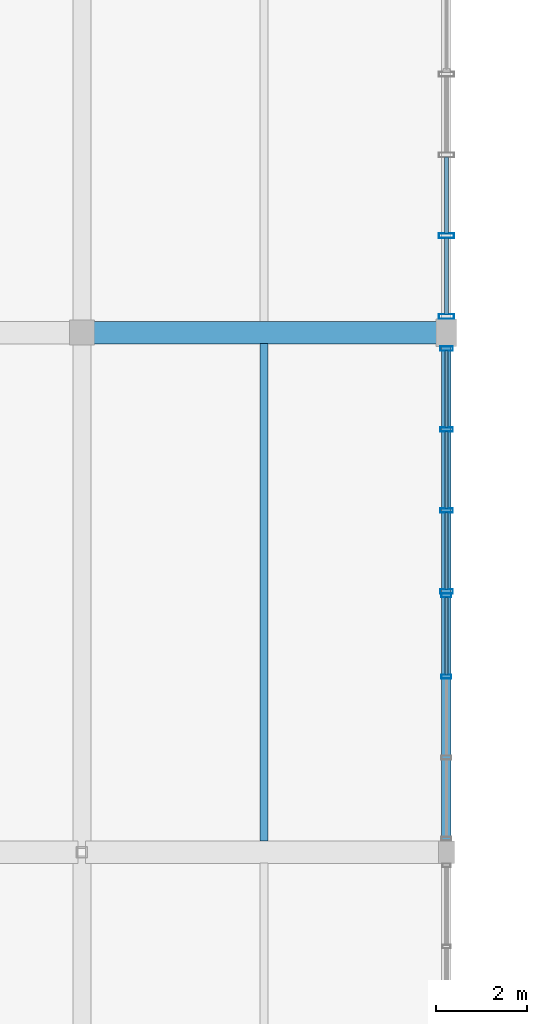
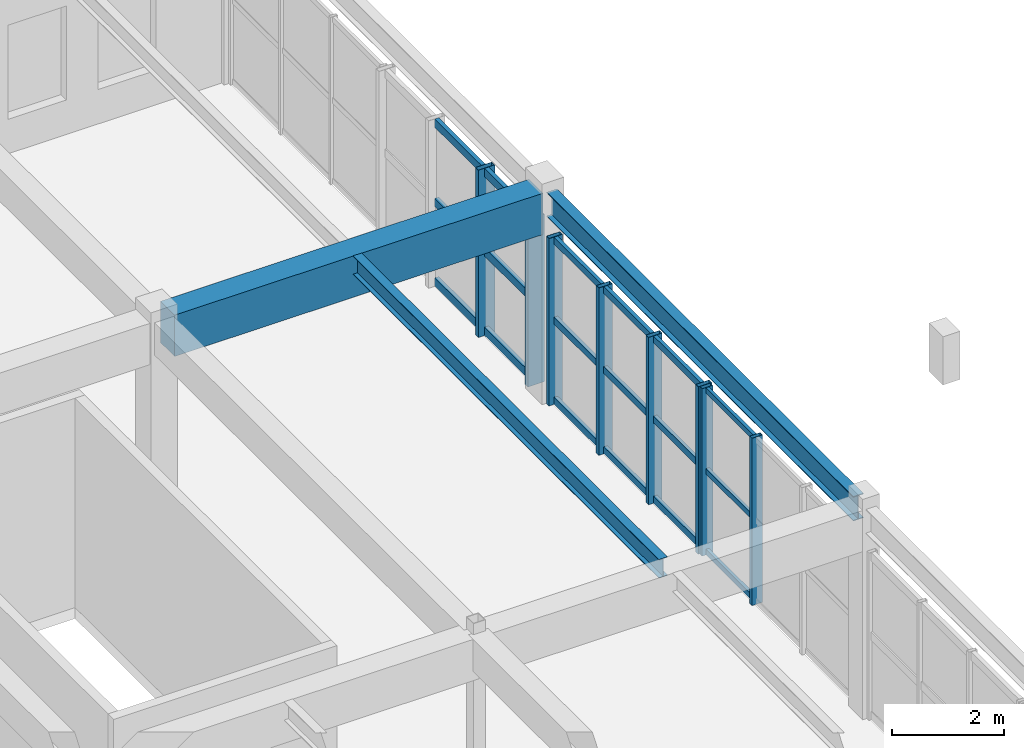
# One storey, part 46 of 106: 26 members, 3 beams, 3 elements without a shape of their own.
"""IFC4 building model written with IfcOpenShell, lengths in metres."""

from ifc_helpers import new_model, si_unit, direction, frame, origin, origin_2d, place, context, subcontext, project, spatial, rectangle, hollow_rectangle, i_section, extrude, material, layer, layer_set, material_profile, profile_set, type_object, element, aggregate, save


model = new_model("IFC4")

# Units and contexts
model_context = context("Model", 3, precision=1e-05, world=origin(), true_north=direction((0.0, 1.0)))
body_context = subcontext(model_context, "Body", "Model", "MODEL_VIEW")
ifc_project = project(units=[si_unit("LENGTHUNIT", "METRE"), si_unit("AREAUNIT", "SQUARE_METRE"), si_unit("VOLUMEUNIT", "CUBIC_METRE"), si_unit("PLANEANGLEUNIT", "RADIAN"), si_unit("MASSUNIT", "GRAM", prefix="KILO"), si_unit("POWERUNIT", "WATT"), si_unit("THERMODYNAMICTEMPERATUREUNIT", "KELVIN")], contexts=[model_context])

# Site, building, storey
site_placement = place(None, origin())
site = spatial("IfcSite", under=ifc_project, at=site_placement, CompositionType="ELEMENT")
building_placement = place(site_placement, origin())
building = spatial("IfcBuilding", under=site, at=building_placement, Name="Kelmbourne Parkland Aquatics Centre", CompositionType="ELEMENT")
storey_placement = place(building_placement, frame((0.0, 0.0, 5.39990234375)))
storey = spatial("IfcBuildingStorey", under=building, at=storey_placement, Name="L01", CompositionType="ELEMENT", Elevation=5.39990234375)

# Beams
ifc_material_1 = material(Name="Concrete C40/50", Category="concrete")
ifc_material_profile_1 = material_profile(ifc_material_1, rectangle(XDim=0.5, YDim=0.89990234375, at=origin_2d()), Name="RC 500x900")
ifc_profile_set_1 = profile_set([ifc_material_profile_1], Name="Concrete C40/50")
beam_type_1 = type_object("IfcBeamType", Name="BM-G03", PredefinedType="BEAM", material=ifc_profile_set_1)
beam_1_placement = place(storey_placement, frame((32.22998046875, 80.60009765625, 4.110107421875), z_axis=(1.0, 0.0, 0.0), x_axis=(0.0, 1.0, 0.0)))
element("IfcBeam", 1, at=beam_1_placement, inside=storey, type_object=beam_type_1, Name="Primary girder E-F Grid 11 (L02)", PredefinedType="BEAM", context=body_context, shape_type="SweptSolid", body=[
    extrude(rectangle(XDim=0.5, YDim=0.89990234375, at=origin_2d()), origin(), (0.0, 0.0, 1.0), 7.590087890625),
])
ifc_material_2 = material(Name="Structural steel AS/NZS 3679.1 Grade 300", Category="steel")
ifc_material_profile_2 = material_profile(ifc_material_2, i_section(OverallWidth=0.177978515625, OverallDepth=0.406005859375, WebThickness=0.0078125, FlangeThickness=0.0126953125, at=origin_2d()), Name="410UB59.7")
ifc_profile_set_2 = profile_set([ifc_material_profile_2], Name="Structural steel AS/NZS 3679.1 Grade 300")
beam_type_2 = type_object("IfcBeamType", Name="BM-J01", PredefinedType="JOIST", material=ifc_profile_set_2)
beam_2_placement = place(storey_placement, frame((36.0, 69.44189453125, 4.357177734375), z_axis=(0.0, 1.0, 0.0), x_axis=(-1.0, 0.0, 0.0)))
element("IfcBeam", 2, at=beam_2_placement, inside=storey, type_object=beam_type_2, Name="Secondary floor joist E-F/10-11 #1 (L02)", PredefinedType="JOIST", context=body_context, shape_type="SweptSolid", body=[
    extrude(i_section(OverallWidth=0.177978515625, OverallDepth=0.406005859375, WebThickness=0.0078125, FlangeThickness=0.0126953125, at=origin_2d()), origin(), (0.0, 0.0, 1.0), 10.916015625),
])
ifc_material_profile_3 = material_profile(ifc_material_2, i_section(OverallWidth=0.208984375, OverallDepth=0.532958984375, WebThickness=0.01025390625, FlangeThickness=0.015625, at=origin_2d()), Name="530UB92.4")
ifc_profile_set_3 = profile_set([ifc_material_profile_3], Name="Structural steel AS/NZS 3679.1 Grade 300")
beam_type_3 = type_object("IfcBeamType", Name="BM-SP02", PredefinedType="SPANDREL", material=ifc_profile_set_3)
beam_3_placement = place(storey_placement, frame((40.0, 69.405029296875, 4.293701171875), z_axis=(0.0, 1.0, 0.0), x_axis=(-1.0, 0.0, 0.0)))
element("IfcBeam", 3, at=beam_3_placement, inside=storey, type_object=beam_type_3, Name="Perimeter spandrel 10-11 Grid F (L02)", PredefinedType="SPANDREL", context=body_context, shape_type="SweptSolid", body=[
    extrude(i_section(OverallWidth=0.208984375, OverallDepth=0.532958984375, WebThickness=0.01025390625, FlangeThickness=0.015625, at=origin_2d()), origin(), (0.0, 0.0, 1.0), 10.93994140625),
])

# Curtain wall, members
ifc_material_3 = material(Name="Thermally broken anodised aluminium framing", Category="aluminium")
ifc_layer_1 = layer(ifc_material_3, 0.179931640625)
ifc_layer_set_1 = layer_set([ifc_layer_1], Name="Thermally broken anodised aluminium framing")
curtain_wall_type_1 = type_object("IfcCurtainWallType", Name="CW-21", PredefinedType="NOTDEFINED", material=ifc_layer_set_1)
curtain_wall_1_placement = place(storey_placement, origin())
curtain_wall_1 = element("IfcCurtainWall", 4, at=curtain_wall_1_placement, inside=storey, type_object=curtain_wall_type_1, Name="Facade curtain wall CW-L01-237", PredefinedType="NOTDEFINED")
ifc_material_profile_4 = material_profile(ifc_material_3, hollow_rectangle(XDim=0.0849609375, YDim=0.219970703125, WallThickness=0.0048828125, at=origin_2d()), Name="CW-M 85x220")
ifc_profile_set_4 = profile_set([ifc_material_profile_4], Name="Thermally broken anodised aluminium framing")
member_type_1 = type_object("IfcMemberType", Name="MB-MUL-3", PredefinedType="MULLION", material=ifc_profile_set_4)
member_1_placement = place(storey_placement, frame((40.0, 73.05322265625, 0.0), z_axis=(0.0, 0.0, 1.0), x_axis=(0.0, 1.0, 0.0)))
member_1 = element("IfcMember", 5, at=member_1_placement, type_object=member_type_1, Name="CW-L01-237 mullion 2", PredefinedType="MULLION", context=body_context, shape_type="SweptSolid", body=[
    extrude(hollow_rectangle(XDim=0.0849609375, YDim=0.219970703125, WallThickness=0.0048828125, at=origin_2d()), origin(), (0.0, 0.0, 1.0), 3.64501953125),
])
member_2_placement = place(storey_placement, frame((40.0, 74.83251953125, 0.0), z_axis=(0.0, 0.0, 1.0), x_axis=(0.0, 1.0, 0.0)))
member_2 = element("IfcMember", 6, at=member_2_placement, type_object=member_type_1, Name="CW-L01-237 mullion 3", PredefinedType="MULLION", context=body_context, shape_type="SweptSolid", body=[
    extrude(hollow_rectangle(XDim=0.0849609375, YDim=0.219970703125, WallThickness=0.0048828125, at=origin_2d()), origin(), (0.0, 0.0, 1.0), 3.64501953125),
])

ifc_layer_2 = layer(ifc_material_3, 0.179931640625)
ifc_layer_set_2 = layer_set([ifc_layer_2], Name="Thermally broken anodised aluminium framing")
curtain_wall_type_2 = type_object("IfcCurtainWallType", Name="CW-22", PredefinedType="NOTDEFINED", material=ifc_layer_set_2)
curtain_wall_2_placement = place(storey_placement, origin())
curtain_wall_2 = element("IfcCurtainWall", 7, at=curtain_wall_2_placement, inside=storey, type_object=curtain_wall_type_2, Name="Facade curtain wall CW-L01-238", PredefinedType="NOTDEFINED")
ifc_material_profile_5 = material_profile(ifc_material_3, hollow_rectangle(XDim=0.094970703125, YDim=0.280029296875, WallThickness=0.005615234375, at=origin_2d()), Name="CW-M 95x280")
ifc_profile_set_5 = profile_set([ifc_material_profile_5], Name="Thermally broken anodised aluminium framing")
member_type_2 = type_object("IfcMemberType", Name="MB-MUL-4", PredefinedType="MULLION", material=ifc_profile_set_5)
member_3_placement = place(storey_placement, frame((40.0, 74.922607421875, 0.0), z_axis=(0.0, 0.0, 1.0), x_axis=(0.0, 1.0, 0.0)))
member_3 = element("IfcMember", 8, at=member_3_placement, type_object=member_type_2, Name="CW-L01-238 mullion 0", PredefinedType="MULLION", context=body_context, shape_type="SweptSolid", body=[
    extrude(hollow_rectangle(XDim=0.094970703125, YDim=0.280029296875, WallThickness=0.005615234375, at=origin_2d()), origin(), (0.0, 0.0, 1.0), 3.64501953125),
])
member_4_placement = place(storey_placement, frame((40.0, 76.698486328125, 0.0), z_axis=(0.0, 0.0, 1.0), x_axis=(0.0, 1.0, 0.0)))
member_4 = element("IfcMember", 9, at=member_4_placement, type_object=member_type_2, Name="CW-L01-238 mullion 1", PredefinedType="MULLION", context=body_context, shape_type="SweptSolid", body=[
    extrude(hollow_rectangle(XDim=0.094970703125, YDim=0.280029296875, WallThickness=0.005615234375, at=origin_2d()), origin(), (0.0, 0.0, 1.0), 3.64501953125),
])
member_5_placement = place(storey_placement, frame((40.0, 78.474609375, 0.0), z_axis=(0.0, 0.0, 1.0), x_axis=(0.0, 1.0, 0.0)))
member_5 = element("IfcMember", 10, at=member_5_placement, type_object=member_type_2, Name="CW-L01-238 mullion 2", PredefinedType="MULLION", context=body_context, shape_type="SweptSolid", body=[
    extrude(hollow_rectangle(XDim=0.094970703125, YDim=0.280029296875, WallThickness=0.005615234375, at=origin_2d()), origin(), (0.0, 0.0, 1.0), 3.64501953125),
])
member_6_placement = place(storey_placement, frame((40.0, 80.25048828125, 0.0), z_axis=(0.0, 0.0, 1.0), x_axis=(0.0, 1.0, 0.0)))
member_6 = element("IfcMember", 11, at=member_6_placement, type_object=member_type_2, Name="CW-L01-238 mullion 3", PredefinedType="MULLION", context=body_context, shape_type="SweptSolid", body=[
    extrude(hollow_rectangle(XDim=0.094970703125, YDim=0.280029296875, WallThickness=0.005615234375, at=origin_2d()), origin(), (0.0, 0.0, 1.0), 3.64501953125),
])

ifc_layer_3 = layer(ifc_material_3, 0.179931640625)
ifc_layer_set_3 = layer_set([ifc_layer_3], Name="Thermally broken anodised aluminium framing")
curtain_wall_type_3 = type_object("IfcCurtainWallType", Name="CW-23", PredefinedType="NOTDEFINED", material=ifc_layer_set_3)
curtain_wall_3_placement = place(storey_placement, origin())
curtain_wall_3 = element("IfcCurtainWall", 12, at=curtain_wall_3_placement, inside=storey, type_object=curtain_wall_type_3, Name="Facade curtain wall CW-L01-239", PredefinedType="NOTDEFINED")
ifc_material_profile_6 = material_profile(ifc_material_3, hollow_rectangle(XDim=0.10498046875, YDim=0.340087890625, WallThickness=0.006103515625, at=origin_2d()), Name="CW-M 105x340")
ifc_profile_set_6 = profile_set([ifc_material_profile_6], Name="Thermally broken anodised aluminium framing")
member_type_3 = type_object("IfcMemberType", Name="MB-MUL-5", PredefinedType="MULLION", material=ifc_profile_set_6)
member_7_placement = place(storey_placement, frame((40.0, 80.95458984375, 0.0), z_axis=(0.0, 0.0, 1.0), x_axis=(0.0, 1.0, 0.0)))
member_7 = element("IfcMember", 13, at=member_7_placement, type_object=member_type_3, Name="CW-L01-239 mullion 0", PredefinedType="MULLION", context=body_context, shape_type="SweptSolid", body=[
    extrude(hollow_rectangle(XDim=0.10498046875, YDim=0.340087890625, WallThickness=0.006103515625, at=origin_2d()), origin(), (0.0, 0.0, 1.0), 3.64501953125),
])
member_8_placement = place(storey_placement, frame((40.0, 82.727294921875, 0.0), z_axis=(0.0, 0.0, 1.0), x_axis=(0.0, 1.0, 0.0)))
member_8 = element("IfcMember", 14, at=member_8_placement, type_object=member_type_3, Name="CW-L01-239 mullion 1", PredefinedType="MULLION", context=body_context, shape_type="SweptSolid", body=[
    extrude(hollow_rectangle(XDim=0.10498046875, YDim=0.340087890625, WallThickness=0.006103515625, at=origin_2d()), origin(), (0.0, 0.0, 1.0), 3.64501953125),
])

# Member
ifc_material_profile_7 = material_profile(ifc_material_3, hollow_rectangle(XDim=0.06494140625, YDim=0.1201171875, WallThickness=0.00341796875, at=origin_2d()), Name="CW-T 65x120")
ifc_profile_set_7 = profile_set([ifc_material_profile_7], Name="Thermally broken anodised aluminium framing")
member_type_4 = type_object("IfcMemberType", Name="MB-TRN-1", PredefinedType="USERDEFINED", material=ifc_profile_set_7)
member_9_placement = place(storey_placement, frame((40.0, 73.091796875, 0.06298828125), z_axis=(0.0, 1.0, 0.0), x_axis=(-1.0, 0.0, 0.0)))
member_9 = element("IfcMember", 15, at=member_9_placement, type_object=member_type_4, Name="CW-L01-237 transom 0-2", ObjectType="TRANSOM", PredefinedType="USERDEFINED", context=body_context, shape_type="SweptSolid", body=[
    extrude(hollow_rectangle(XDim=0.06494140625, YDim=0.1201171875, WallThickness=0.00341796875, at=origin_2d()), origin(), (0.0, 0.0, 1.0), 1.7021484375),
])

member_10_placement = place(storey_placement, frame((40.0, 73.091796875, 1.822509765625), z_axis=(0.0, 1.0, 0.0), x_axis=(-1.0, 0.0, 0.0)))
member_10 = element("IfcMember", 16, at=member_10_placement, type_object=member_type_4, Name="CW-L01-237 transom 1-2", ObjectType="TRANSOM", PredefinedType="USERDEFINED", context=body_context, shape_type="SweptSolid", body=[
    extrude(hollow_rectangle(XDim=0.06494140625, YDim=0.1201171875, WallThickness=0.00341796875, at=origin_2d()), origin(), (0.0, 0.0, 1.0), 1.7021484375),
])

member_11_placement = place(storey_placement, frame((40.0, 73.091796875, 3.58203125), z_axis=(0.0, 1.0, 0.0), x_axis=(-1.0, 0.0, 0.0)))
member_11 = element("IfcMember", 17, at=member_11_placement, type_object=member_type_4, Name="CW-L01-237 transom 2-2", ObjectType="TRANSOM", PredefinedType="USERDEFINED", context=body_context, shape_type="SweptSolid", body=[
    extrude(hollow_rectangle(XDim=0.06494140625, YDim=0.1201171875, WallThickness=0.00341796875, at=origin_2d()), origin(), (0.0, 0.0, 1.0), 1.7021484375),
])

aggregate(curtain_wall_1, [member_1, member_2, member_9, member_10, member_11])

ifc_material_profile_8 = material_profile(ifc_material_3, hollow_rectangle(XDim=0.074951171875, YDim=0.14990234375, WallThickness=0.00390625, at=origin_2d()), Name="CW-T 75x150")
ifc_profile_set_8 = profile_set([ifc_material_profile_8], Name="Thermally broken anodised aluminium framing")
member_type_5 = type_object("IfcMemberType", Name="MB-TRN-2", PredefinedType="USERDEFINED", material=ifc_profile_set_8)
member_12_placement = place(storey_placement, frame((40.0, 74.966064453125, 0.078125), z_axis=(0.0, 1.0, 0.0), x_axis=(-1.0, 0.0, 0.0)))
member_12 = element("IfcMember", 18, at=member_12_placement, type_object=member_type_5, Name="CW-L01-238 transom 0-0", ObjectType="TRANSOM", PredefinedType="USERDEFINED", context=body_context, shape_type="SweptSolid", body=[
    extrude(hollow_rectangle(XDim=0.074951171875, YDim=0.14990234375, WallThickness=0.00390625, at=origin_2d()), origin(), (0.0, 0.0, 1.0), 1.68896484375),
])

member_13_placement = place(storey_placement, frame((40.0, 76.741943359375, 0.078125), z_axis=(0.0, 1.0, 0.0), x_axis=(-1.0, 0.0, 0.0)))
member_13 = element("IfcMember", 19, at=member_13_placement, type_object=member_type_5, Name="CW-L01-238 transom 0-1", ObjectType="TRANSOM", PredefinedType="USERDEFINED", context=body_context, shape_type="SweptSolid", body=[
    extrude(hollow_rectangle(XDim=0.074951171875, YDim=0.14990234375, WallThickness=0.00390625, at=origin_2d()), origin(), (0.0, 0.0, 1.0), 1.68896484375),
])

member_14_placement = place(storey_placement, frame((40.0, 78.51806640625, 0.078125), z_axis=(0.0, 1.0, 0.0), x_axis=(-1.0, 0.0, 0.0)))
member_14 = element("IfcMember", 20, at=member_14_placement, type_object=member_type_5, Name="CW-L01-238 transom 0-2", ObjectType="TRANSOM", PredefinedType="USERDEFINED", context=body_context, shape_type="SweptSolid", body=[
    extrude(hollow_rectangle(XDim=0.074951171875, YDim=0.14990234375, WallThickness=0.00390625, at=origin_2d()), origin(), (0.0, 0.0, 1.0), 1.68896484375),
])

member_15_placement = place(storey_placement, frame((40.0, 74.966064453125, 1.822509765625), z_axis=(0.0, 1.0, 0.0), x_axis=(-1.0, 0.0, 0.0)))
member_15 = element("IfcMember", 21, at=member_15_placement, type_object=member_type_5, Name="CW-L01-238 transom 1-0", ObjectType="TRANSOM", PredefinedType="USERDEFINED", context=body_context, shape_type="SweptSolid", body=[
    extrude(hollow_rectangle(XDim=0.074951171875, YDim=0.14990234375, WallThickness=0.00390625, at=origin_2d()), origin(), (0.0, 0.0, 1.0), 1.68896484375),
])

member_16_placement = place(storey_placement, frame((40.0, 76.741943359375, 1.822509765625), z_axis=(0.0, 1.0, 0.0), x_axis=(-1.0, 0.0, 0.0)))
member_16 = element("IfcMember", 22, at=member_16_placement, type_object=member_type_5, Name="CW-L01-238 transom 1-1", ObjectType="TRANSOM", PredefinedType="USERDEFINED", context=body_context, shape_type="SweptSolid", body=[
    extrude(hollow_rectangle(XDim=0.074951171875, YDim=0.14990234375, WallThickness=0.00390625, at=origin_2d()), origin(), (0.0, 0.0, 1.0), 1.68896484375),
])

member_17_placement = place(storey_placement, frame((40.0, 78.51806640625, 1.822509765625), z_axis=(0.0, 1.0, 0.0), x_axis=(-1.0, 0.0, 0.0)))
member_17 = element("IfcMember", 23, at=member_17_placement, type_object=member_type_5, Name="CW-L01-238 transom 1-2", ObjectType="TRANSOM", PredefinedType="USERDEFINED", context=body_context, shape_type="SweptSolid", body=[
    extrude(hollow_rectangle(XDim=0.074951171875, YDim=0.14990234375, WallThickness=0.00390625, at=origin_2d()), origin(), (0.0, 0.0, 1.0), 1.68896484375),
])

member_18_placement = place(storey_placement, frame((40.0, 74.966064453125, 3.567138671875), z_axis=(0.0, 1.0, 0.0), x_axis=(-1.0, 0.0, 0.0)))
member_18 = element("IfcMember", 24, at=member_18_placement, type_object=member_type_5, Name="CW-L01-238 transom 2-0", ObjectType="TRANSOM", PredefinedType="USERDEFINED", context=body_context, shape_type="SweptSolid", body=[
    extrude(hollow_rectangle(XDim=0.074951171875, YDim=0.14990234375, WallThickness=0.00390625, at=origin_2d()), origin(), (0.0, 0.0, 1.0), 1.68896484375),
])

member_19_placement = place(storey_placement, frame((40.0, 76.741943359375, 3.567138671875), z_axis=(0.0, 1.0, 0.0), x_axis=(-1.0, 0.0, 0.0)))
member_19 = element("IfcMember", 25, at=member_19_placement, type_object=member_type_5, Name="CW-L01-238 transom 2-1", ObjectType="TRANSOM", PredefinedType="USERDEFINED", context=body_context, shape_type="SweptSolid", body=[
    extrude(hollow_rectangle(XDim=0.074951171875, YDim=0.14990234375, WallThickness=0.00390625, at=origin_2d()), origin(), (0.0, 0.0, 1.0), 1.68896484375),
])

member_20_placement = place(storey_placement, frame((40.0, 78.51806640625, 3.567138671875), z_axis=(0.0, 1.0, 0.0), x_axis=(-1.0, 0.0, 0.0)))
member_20 = element("IfcMember", 26, at=member_20_placement, type_object=member_type_5, Name="CW-L01-238 transom 2-2", ObjectType="TRANSOM", PredefinedType="USERDEFINED", context=body_context, shape_type="SweptSolid", body=[
    extrude(hollow_rectangle(XDim=0.074951171875, YDim=0.14990234375, WallThickness=0.00390625, at=origin_2d()), origin(), (0.0, 0.0, 1.0), 1.68896484375),
])

aggregate(curtain_wall_2, [member_3, member_4, member_5, member_6, member_12, member_13, member_14, member_15, member_16, member_17, member_18, member_19, member_20])

ifc_material_profile_9 = material_profile(ifc_material_3, hollow_rectangle(XDim=0.0849609375, YDim=0.179931640625, WallThickness=0.00439453125, at=origin_2d()), Name="CW-T 85x180")
ifc_profile_set_9 = profile_set([ifc_material_profile_9], Name="Thermally broken anodised aluminium framing")
member_type_6 = type_object("IfcMemberType", Name="MB-TRN-3", PredefinedType="USERDEFINED", material=ifc_profile_set_9)
member_21_placement = place(storey_placement, frame((40.0, 81.0029296875, 0.093017578125), z_axis=(0.0, 1.0, 0.0), x_axis=(-1.0, 0.0, 0.0)))
member_21 = element("IfcMember", 27, at=member_21_placement, type_object=member_type_6, Name="CW-L01-239 transom 0-0", ObjectType="TRANSOM", PredefinedType="USERDEFINED", context=body_context, shape_type="SweptSolid", body=[
    extrude(hollow_rectangle(XDim=0.0849609375, YDim=0.179931640625, WallThickness=0.00439453125, at=origin_2d()), origin(), (0.0, 0.0, 1.0), 1.67578125),
])

member_22_placement = place(storey_placement, frame((40.0, 82.775634765625, 0.093017578125), z_axis=(0.0, 1.0, 0.0), x_axis=(-1.0, 0.0, 0.0)))
member_22 = element("IfcMember", 28, at=member_22_placement, type_object=member_type_6, Name="CW-L01-239 transom 0-1", ObjectType="TRANSOM", PredefinedType="USERDEFINED", context=body_context, shape_type="SweptSolid", body=[
    extrude(hollow_rectangle(XDim=0.0849609375, YDim=0.179931640625, WallThickness=0.00439453125, at=origin_2d()), origin(), (0.0, 0.0, 1.0), 1.67578125),
])

member_23_placement = place(storey_placement, frame((40.0, 81.0029296875, 1.822509765625), z_axis=(0.0, 1.0, 0.0), x_axis=(-1.0, 0.0, 0.0)))
member_23 = element("IfcMember", 29, at=member_23_placement, type_object=member_type_6, Name="CW-L01-239 transom 1-0", ObjectType="TRANSOM", PredefinedType="USERDEFINED", context=body_context, shape_type="SweptSolid", body=[
    extrude(hollow_rectangle(XDim=0.0849609375, YDim=0.179931640625, WallThickness=0.00439453125, at=origin_2d()), origin(), (0.0, 0.0, 1.0), 1.67578125),
])

member_24_placement = place(storey_placement, frame((40.0, 82.775634765625, 1.822509765625), z_axis=(0.0, 1.0, 0.0), x_axis=(-1.0, 0.0, 0.0)))
member_24 = element("IfcMember", 30, at=member_24_placement, type_object=member_type_6, Name="CW-L01-239 transom 1-1", ObjectType="TRANSOM", PredefinedType="USERDEFINED", context=body_context, shape_type="SweptSolid", body=[
    extrude(hollow_rectangle(XDim=0.0849609375, YDim=0.179931640625, WallThickness=0.00439453125, at=origin_2d()), origin(), (0.0, 0.0, 1.0), 1.67578125),
])

member_25_placement = place(storey_placement, frame((40.0, 81.0029296875, 3.552001953125), z_axis=(0.0, 1.0, 0.0), x_axis=(-1.0, 0.0, 0.0)))
member_25 = element("IfcMember", 31, at=member_25_placement, type_object=member_type_6, Name="CW-L01-239 transom 2-0", ObjectType="TRANSOM", PredefinedType="USERDEFINED", context=body_context, shape_type="SweptSolid", body=[
    extrude(hollow_rectangle(XDim=0.0849609375, YDim=0.179931640625, WallThickness=0.00439453125, at=origin_2d()), origin(), (0.0, 0.0, 1.0), 1.67578125),
])

member_26_placement = place(storey_placement, frame((40.0, 82.775634765625, 3.552001953125), z_axis=(0.0, 1.0, 0.0), x_axis=(-1.0, 0.0, 0.0)))
member_26 = element("IfcMember", 32, at=member_26_placement, type_object=member_type_6, Name="CW-L01-239 transom 2-1", ObjectType="TRANSOM", PredefinedType="USERDEFINED", context=body_context, shape_type="SweptSolid", body=[
    extrude(hollow_rectangle(XDim=0.0849609375, YDim=0.179931640625, WallThickness=0.00439453125, at=origin_2d()), origin(), (0.0, 0.0, 1.0), 1.67578125),
])

aggregate(curtain_wall_3, [member_7, member_8, member_21, member_22, member_23, member_24, member_25, member_26])

save(model, "model.ifc")
